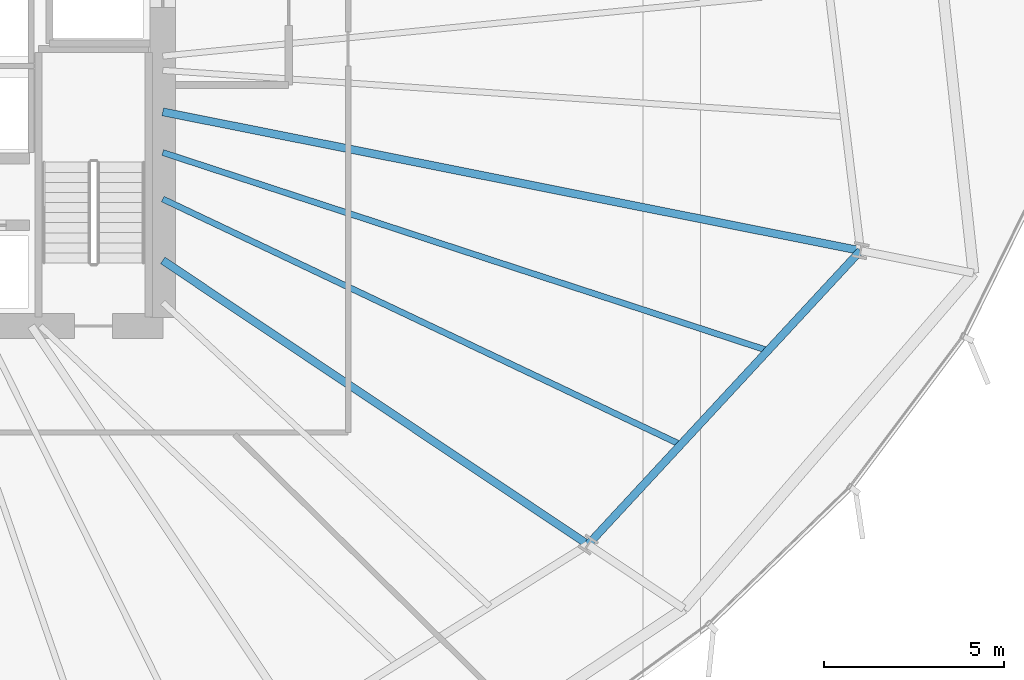
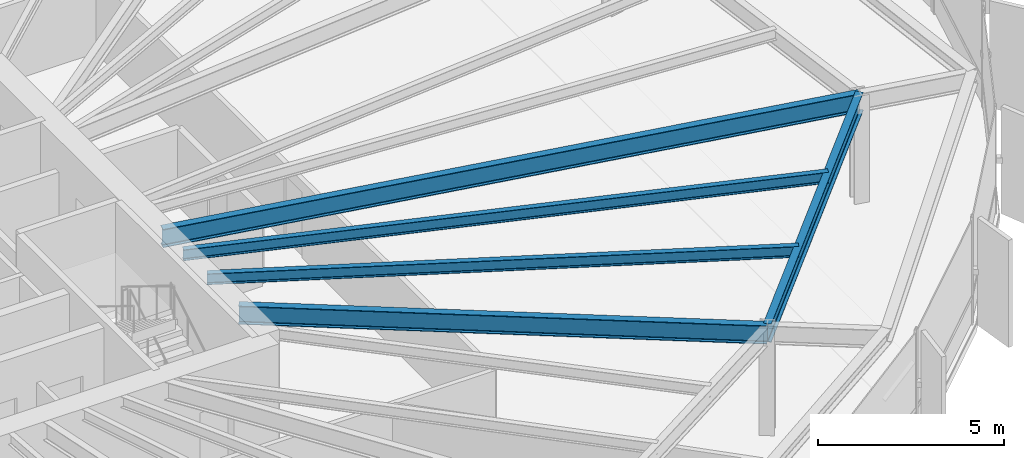
# One storey, part 14 of 38: 5 beams.
"""IFC4 building model written with IfcOpenShell, lengths in metres."""

from ifc_helpers import new_model, si_unit, direction, frame, origin, origin_2d, place, context, subcontext, project, spatial, i_section, extrude, source, transform, mapped, material, material_profile, profile_set, type_object, element, save


model = new_model("IFC4")

# Units and contexts
model_context = context("Model", 3, precision=1e-05, world=origin(), true_north=direction((0.0, 1.0)))
body_context = subcontext(model_context, "Body", "Model", "MODEL_VIEW")
ifc_project = project(units=[si_unit("LENGTHUNIT", "METRE"), si_unit("AREAUNIT", "SQUARE_METRE"), si_unit("VOLUMEUNIT", "CUBIC_METRE"), si_unit("PLANEANGLEUNIT", "RADIAN"), si_unit("MASSUNIT", "GRAM", prefix="KILO"), si_unit("THERMODYNAMICTEMPERATUREUNIT", "KELVIN")], contexts=[model_context])

# Site, building, storey
site_placement = place(None, origin())
site = spatial("IfcSite", under=ifc_project, at=site_placement, CompositionType="ELEMENT")
building_placement = place(site_placement, origin())
building = spatial("IfcBuilding", under=site, at=building_placement, Name="Kethvar Cultural Tower", CompositionType="ELEMENT")
storey_placement = place(building_placement, frame((0.0, 0.0, 67.60009765625)))
storey = spatial("IfcBuildingStorey", under=building, at=storey_placement, Name="L16", CompositionType="ELEMENT", Elevation=67.60009765625)

# Beams
ifc_material = material(Name="Steel S355J2", Category="steel")
ifc_material_profile_1 = material_profile(ifc_material, i_section(OverallWidth=0.219970703125, OverallDepth=0.60009765625, WebThickness=0.011962890625, FlangeThickness=0.01904296875, FilletRadius=0.02392578125, at=origin_2d()), Name="Steel S355J2 — IPE600")
ifc_profile_set_1 = profile_set([ifc_material_profile_1], Name="Steel S355J2 — IPE600")
beam_type_1 = type_object("IfcBeamType", Name="BM-IPE600", PredefinedType="BEAM", material=ifc_profile_set_1)
shared_shape_1 = source(origin(), body_context, "Body", "SweptSolid", [
    extrude(i_section(OverallWidth=0.219970703125, OverallDepth=0.60009765625, WebThickness=0.011962890625, FlangeThickness=0.01904296875, FilletRadius=0.02392578125, at=origin_2d()), origin(), (0.0, 0.0, 1.0), 14.2138671875),
])
beam_1_placement = place(storey_placement, frame((55.60009765625, 21.920166015625, 3.247802734375), z_axis=(0.831463197362, -0.555579833537, 0.0), x_axis=(0.555579833537, 0.831463197362, 0.0)))
element("IfcBeam", 1, at=beam_1_placement, inside=storey, type_object=beam_type_1, Name="L16 Primary Radial Beam RB-15", PredefinedType="BEAM", context=body_context, shape_type="MappedRepresentation", body=[
    mapped(shared_shape_1, transform((0.0, 0.0, 0.0), scale=1.0)),
])
shared_shape_2 = source(origin(), body_context, "Body", "SweptSolid", [
    extrude(i_section(OverallWidth=0.219970703125, OverallDepth=0.60009765625, WebThickness=0.011962890625, FlangeThickness=0.01904296875, FilletRadius=0.02392578125, at=origin_2d()), origin(), (0.0, 0.0, 1.0), 19.77099609375),
])
beam_2_placement = place(storey_placement, frame((55.60009765625, 26.049560546875, 3.247802734375), z_axis=(0.980784840197, -0.195092535068, 0.0), x_axis=(0.195092535068, 0.980784840197, 0.0)))
element("IfcBeam", 2, at=beam_2_placement, inside=storey, type_object=beam_type_1, Name="L16 Primary Radial Beam RB-16", PredefinedType="BEAM", context=body_context, shape_type="MappedRepresentation", body=[
    mapped(shared_shape_2, transform((0.0, 0.0, 0.0), scale=1.0)),
])
shared_shape_3 = source(origin(), body_context, "Body", "SweptSolid", [
    extrude(i_section(OverallWidth=0.219970703125, OverallDepth=0.60009765625, WebThickness=0.011962890625, FlangeThickness=0.01904296875, FilletRadius=0.02392578125, at=origin_2d()), origin(), (0.0, 0.0, 1.0), 11.13916015625),
])
beam_3_placement = place(storey_placement, frame((67.41845703125, 14.023193359375, 3.247802734375), z_axis=(0.679827924457, 0.73337166098, 0.0), x_axis=(-0.73337166098, 0.679827924457, 0.0)))
element("IfcBeam", 3, at=beam_3_placement, inside=storey, type_object=beam_type_1, Name="L16 Column Ring Tie Beam CR-15", PredefinedType="BEAM", context=body_context, shape_type="MappedRepresentation", body=[
    mapped(shared_shape_3, transform((0.0, 0.0, 0.0), scale=1.0)),
])
ifc_material_profile_2 = material_profile(ifc_material, i_section(OverallWidth=0.169921875, OverallDepth=0.360107421875, WebThickness=0.008056640625, FlangeThickness=0.0126953125, FilletRadius=0.01806640625, at=origin_2d()), Name="Steel S355J2 — IPE360")
ifc_profile_set_2 = profile_set([ifc_material_profile_2], Name="Steel S355J2 — IPE360")
beam_type_2 = type_object("IfcBeamType", Name="BM-J360", PredefinedType="JOIST", material=ifc_profile_set_2)
shared_shape_4 = source(origin(), body_context, "Body", "SweptSolid", [
    extrude(i_section(OverallWidth=0.169921875, OverallDepth=0.360107421875, WebThickness=0.008056640625, FlangeThickness=0.0126953125, FilletRadius=0.01806640625, at=origin_2d()), origin(), (0.0, 0.0, 1.0), 15.9296875),
])
beam_4_placement = place(storey_placement, frame((55.60009765625, 23.626708984375, 3.367919921875), z_axis=(0.903539576646, -0.428504648089, 0.0), x_axis=(0.428504648089, 0.903539576646, 0.0)))
element("IfcBeam", 4, at=beam_4_placement, inside=storey, type_object=beam_type_2, Name="L16 Composite Floor Joist J-15A", PredefinedType="JOIST", context=body_context, shape_type="MappedRepresentation", body=[
    mapped(shared_shape_4, transform((0.0, 0.0, 0.0), scale=1.0)),
])
shared_shape_5 = source(origin(), body_context, "Body", "SweptSolid", [
    extrude(i_section(OverallWidth=0.169921875, OverallDepth=0.360107421875, WebThickness=0.008056640625, FlangeThickness=0.0126953125, FilletRadius=0.01806640625, at=origin_2d()), origin(), (0.0, 0.0, 1.0), 17.6943359375),
])
beam_5_placement = place(storey_placement, frame((55.60009765625, 24.91943359375, 3.367919921875), z_axis=(0.950378958587, -0.311094575773, 0.0), x_axis=(0.311094575773, 0.950378958587, 0.0)))
element("IfcBeam", 5, at=beam_5_placement, inside=storey, type_object=beam_type_2, Name="L16 Composite Floor Joist J-15B", PredefinedType="JOIST", context=body_context, shape_type="MappedRepresentation", body=[
    mapped(shared_shape_5, transform((0.0, 0.0, 0.0), scale=1.0)),
])

save(model, "model.ifc")
